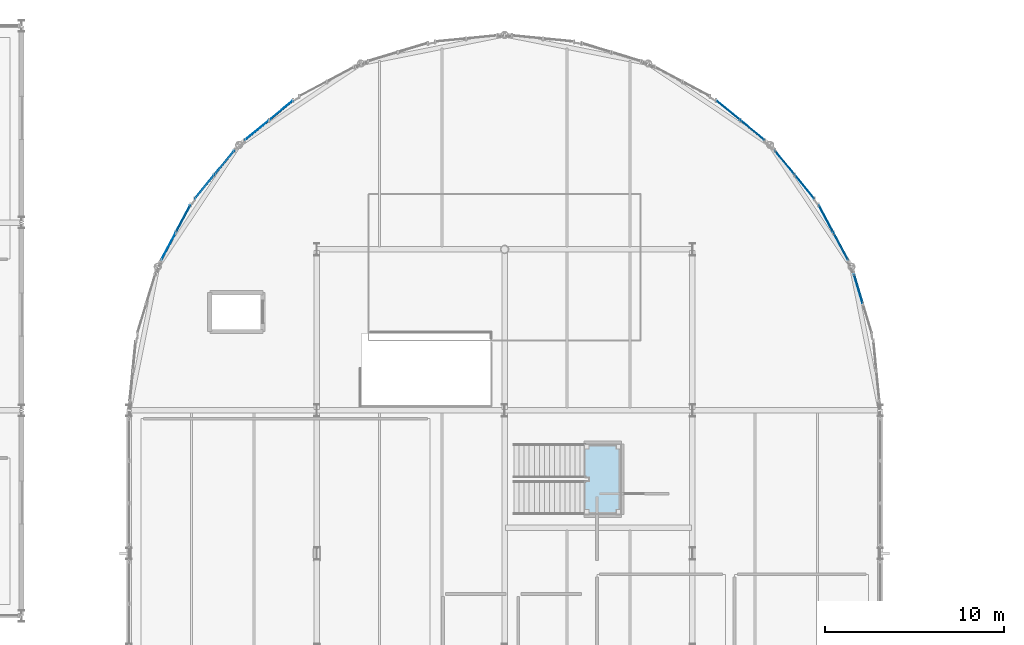
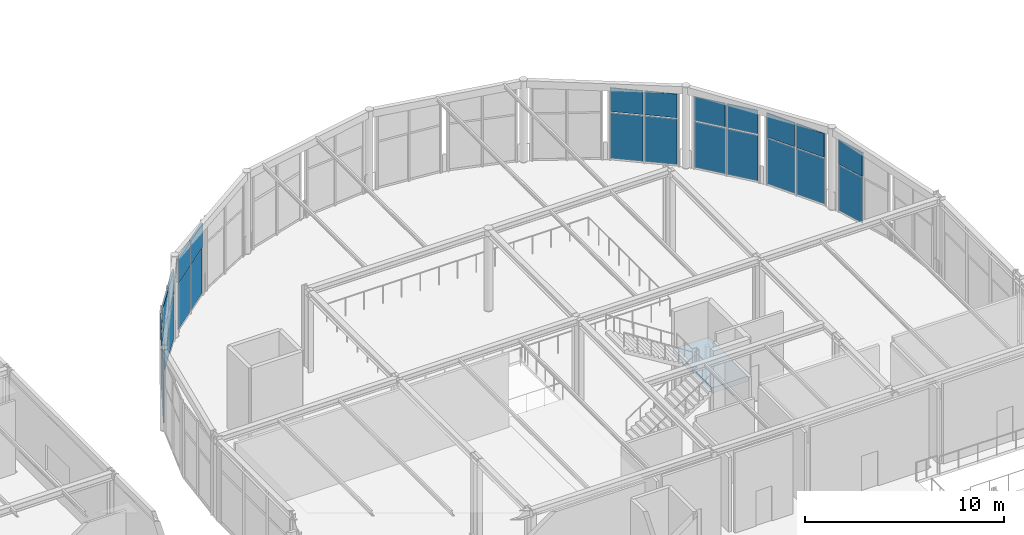
# One storey, part 100 of 195: 26 plates, 1 slab, 8 elements without a shape of their own.
"""IFC4 building model written with IfcOpenShell, lengths in metres."""

from ifc_helpers import new_model, si_unit, direction, frame, origin, origin_2d, place, context, subcontext, project, spatial, polyline, rectangle, outline, extrude, material, layer, layer_set, type_object, element, aggregate, save


model = new_model("IFC4")

# Units and contexts
model_context = context("Model", 3, precision=1e-05, world=origin(), true_north=direction((0.0, 1.0)))
body_context = subcontext(model_context, "Body", "Model", "MODEL_VIEW")
ifc_project = project(units=[si_unit("LENGTHUNIT", "METRE"), si_unit("AREAUNIT", "SQUARE_METRE"), si_unit("VOLUMEUNIT", "CUBIC_METRE"), si_unit("PLANEANGLEUNIT", "RADIAN"), si_unit("MASSUNIT", "GRAM", prefix="KILO")], contexts=[model_context])

# Site, building, storey
site_placement = place(None, origin())
site = spatial("IfcSite", under=ifc_project, at=site_placement, CompositionType="ELEMENT")
building_placement = place(site_placement, origin())
building = spatial("IfcBuilding", under=site, at=building_placement, Name="Marlcrest Central Station", CompositionType="ELEMENT")
storey_placement = place(building_placement, frame((0.0, 0.0, 9.800048828125)))
storey = spatial("IfcBuildingStorey", under=building, at=storey_placement, Name="L02", CompositionType="ELEMENT", Elevation=9.800048828125)

# Curtain wall, plates
ifc_material_1 = material(Name="Anodised aluminium and hurricane laminated glass", Category="aluminium")
ifc_layer_1 = layer(ifc_material_1, 0.219970703125, Name="CW-U1")
ifc_layer_set_1 = layer_set([ifc_layer_1], Name="Anodised aluminium and hurricane laminated glass")
curtain_wall_type = type_object("IfcCurtainWallType", Name="CW-U1", PredefinedType="USERDEFINED", material=ifc_layer_set_1)
curtain_wall_1_placement = place(storey_placement, origin())
curtain_wall_1 = element("IfcCurtainWall", 1, at=curtain_wall_1_placement, inside=storey, type_object=curtain_wall_type, Name="cw-L02-0069", ObjectType="UNITISED_CURTAIN_WALL", PredefinedType="USERDEFINED")
ifc_material_2 = material(Name="Hurricane laminated solar-control glass", Category="glass")
ifc_layer_2 = layer(ifc_material_2, 0.031982421875, Name="CP-01")
ifc_layer_set_2 = layer_set([ifc_layer_2], Name="Hurricane laminated solar-control glass")
plate_type_1 = type_object("IfcPlateType", Name="CP-01", PredefinedType="CURTAIN_PANEL", material=ifc_layer_set_2)
plate_1_placement = place(storey_placement, frame((89.20263671875, 119.66552734375, 0.080078125), z_axis=(0.0, 0.0, 1.0), x_axis=(0.471242805349, 0.882003525167, 0.0)))
plate_1 = element("IfcPlate", 2, at=plate_1_placement, type_object=plate_type_1, Name="cw-L02-0069-cp-lo-0", PredefinedType="CURTAIN_PANEL", context=body_context, shape_type="SweptSolid", body=[
    extrude(rectangle(XDim=1.677490234375, YDim=0.031982421875, at=origin_2d()), origin(), (0.0, 0.0, 1.0), 2.804931640625),
])
plate_2_placement = place(storey_placement, frame((90.02880859375, 121.212158203125, 0.080078125), z_axis=(0.0, 0.0, 1.0), x_axis=(0.471242805349, 0.882003525167, 0.0)))
plate_2 = element("IfcPlate", 3, at=plate_2_placement, type_object=plate_type_1, Name="cw-L02-0069-cp-lo-1", PredefinedType="CURTAIN_PANEL", context=body_context, shape_type="SweptSolid", body=[
    extrude(rectangle(XDim=1.677490234375, YDim=0.031982421875, at=origin_2d()), origin(), (0.0, 0.0, 1.0), 2.804931640625),
])

curtain_wall_2_placement = place(storey_placement, origin())
curtain_wall_2 = element("IfcCurtainWall", 4, at=curtain_wall_2_placement, inside=storey, type_object=curtain_wall_type, Name="cw-L02-0070", ObjectType="UNITISED_CURTAIN_WALL", PredefinedType="USERDEFINED")
plate_3_placement = place(storey_placement, frame((91.225830078125, 123.00390625, 0.080078125), z_axis=(0.0, 0.0, 1.0), x_axis=(0.63447423015, 0.772944015615, 0.0)))
plate_3 = element("IfcPlate", 5, at=plate_3_placement, type_object=plate_type_1, Name="cw-L02-0070-cp-lo-0", PredefinedType="CURTAIN_PANEL", context=body_context, shape_type="SweptSolid", body=[
    extrude(rectangle(XDim=1.677490234375, YDim=0.031982421875, at=origin_2d()), origin(), (0.0, 0.0, 1.0), 2.804931640625),
])
plate_4_placement = place(storey_placement, frame((92.33837890625, 124.359130859375, 0.080078125), z_axis=(0.0, 0.0, 1.0), x_axis=(0.63447423015, 0.772944015615, 0.0)))
plate_4 = element("IfcPlate", 6, at=plate_4_placement, type_object=plate_type_1, Name="cw-L02-0070-cp-lo-1", PredefinedType="CURTAIN_PANEL", context=body_context, shape_type="SweptSolid", body=[
    extrude(rectangle(XDim=1.677490234375, YDim=0.031982421875, at=origin_2d()), origin(), (0.0, 0.0, 1.0), 2.804931640625),
])

curtain_wall_3_placement = place(storey_placement, origin())
curtain_wall_3 = element("IfcCurtainWall", 7, at=curtain_wall_3_placement, inside=storey, type_object=curtain_wall_type, Name="cw-L02-0071", ObjectType="UNITISED_CURTAIN_WALL", PredefinedType="USERDEFINED")
plate_5_placement = place(storey_placement, frame((94.140869140625, 126.16162109375, 0.080078125), z_axis=(0.0, 0.0, 1.0), x_axis=(0.772944015615, 0.63447423015, 0.0)))
plate_5 = element("IfcPlate", 8, at=plate_5_placement, type_object=plate_type_1, Name="cw-L02-0071-cp-lo-0", PredefinedType="CURTAIN_PANEL", context=body_context, shape_type="SweptSolid", body=[
    extrude(rectangle(XDim=1.677490234375, YDim=0.031982421875, at=origin_2d()), origin(), (0.0, 0.0, 1.0), 2.804931640625),
])
plate_6_placement = place(storey_placement, frame((95.49609375, 127.274169921875, 0.080078125), z_axis=(0.0, 0.0, 1.0), x_axis=(0.772944015615, 0.63447423015, 0.0)))
plate_6 = element("IfcPlate", 9, at=plate_6_placement, type_object=plate_type_1, Name="cw-L02-0071-cp-lo-1", PredefinedType="CURTAIN_PANEL", context=body_context, shape_type="SweptSolid", body=[
    extrude(rectangle(XDim=1.677490234375, YDim=0.031982421875, at=origin_2d()), origin(), (0.0, 0.0, 1.0), 2.804931640625),
])

curtain_wall_4_placement = place(storey_placement, origin())
curtain_wall_4 = element("IfcCurtainWall", 10, at=curtain_wall_4_placement, inside=storey, type_object=curtain_wall_type, Name="cw-L02-0078", ObjectType="UNITISED_CURTAIN_WALL", PredefinedType="USERDEFINED")
plate_7_placement = place(storey_placement, frame((120.50390625, 127.274169921875, 0.080078125), z_axis=(0.0, 0.0, 1.0), x_axis=(0.772944015615, -0.63447423015, 0.0)))
plate_7 = element("IfcPlate", 11, at=plate_7_placement, type_object=plate_type_1, Name="cw-L02-0078-cp-lo-0", PredefinedType="CURTAIN_PANEL", context=body_context, shape_type="SweptSolid", body=[
    extrude(rectangle(XDim=1.677490234375, YDim=0.031982421875, at=origin_2d()), origin(), (0.0, 0.0, 1.0), 2.804931640625),
])
plate_8_placement = place(storey_placement, frame((121.859130859375, 126.16162109375, 0.080078125), z_axis=(0.0, 0.0, 1.0), x_axis=(0.772944015615, -0.63447423015, 0.0)))
plate_8 = element("IfcPlate", 12, at=plate_8_placement, type_object=plate_type_1, Name="cw-L02-0078-cp-lo-1", PredefinedType="CURTAIN_PANEL", context=body_context, shape_type="SweptSolid", body=[
    extrude(rectangle(XDim=1.677490234375, YDim=0.031982421875, at=origin_2d()), origin(), (0.0, 0.0, 1.0), 2.804931640625),
])

curtain_wall_5_placement = place(storey_placement, origin())
curtain_wall_5 = element("IfcCurtainWall", 13, at=curtain_wall_5_placement, inside=storey, type_object=curtain_wall_type, Name="cw-L02-0079", ObjectType="UNITISED_CURTAIN_WALL", PredefinedType="USERDEFINED")
plate_9_placement = place(storey_placement, frame((123.66162109375, 124.359130859375, 0.080078125), z_axis=(0.0, 0.0, 1.0), x_axis=(0.63447423015, -0.772944015615, 0.0)))
plate_9 = element("IfcPlate", 14, at=plate_9_placement, type_object=plate_type_1, Name="cw-L02-0079-cp-lo-0", PredefinedType="CURTAIN_PANEL", context=body_context, shape_type="SweptSolid", body=[
    extrude(rectangle(XDim=1.677490234375, YDim=0.031982421875, at=origin_2d()), origin(), (0.0, 0.0, 1.0), 2.804931640625),
])
plate_10_placement = place(storey_placement, frame((124.774169921875, 123.00390625, 0.080078125), z_axis=(0.0, 0.0, 1.0), x_axis=(0.63447423015, -0.772944015615, 0.0)))
plate_10 = element("IfcPlate", 15, at=plate_10_placement, type_object=plate_type_1, Name="cw-L02-0079-cp-lo-1", PredefinedType="CURTAIN_PANEL", context=body_context, shape_type="SweptSolid", body=[
    extrude(rectangle(XDim=1.677490234375, YDim=0.031982421875, at=origin_2d()), origin(), (0.0, 0.0, 1.0), 2.804931640625),
])

curtain_wall_6_placement = place(storey_placement, origin())
curtain_wall_6 = element("IfcCurtainWall", 16, at=curtain_wall_6_placement, inside=storey, type_object=curtain_wall_type, Name="cw-L02-0080", ObjectType="UNITISED_CURTAIN_WALL", PredefinedType="USERDEFINED")
plate_11_placement = place(storey_placement, frame((125.97119140625, 121.212158203125, 0.080078125), z_axis=(0.0, 0.0, 1.0), x_axis=(0.471242805349, -0.882003525167, 0.0)))
plate_11 = element("IfcPlate", 17, at=plate_11_placement, type_object=plate_type_1, Name="cw-L02-0080-cp-lo-0", PredefinedType="CURTAIN_PANEL", context=body_context, shape_type="SweptSolid", body=[
    extrude(rectangle(XDim=1.677490234375, YDim=0.031982421875, at=origin_2d()), origin(), (0.0, 0.0, 1.0), 2.804931640625),
])
plate_12_placement = place(storey_placement, frame((126.79736328125, 119.66552734375, 0.080078125), z_axis=(0.0, 0.0, 1.0), x_axis=(0.471242805349, -0.882003525167, 0.0)))
plate_12 = element("IfcPlate", 18, at=plate_12_placement, type_object=plate_type_1, Name="cw-L02-0080-cp-lo-1", PredefinedType="CURTAIN_PANEL", context=body_context, shape_type="SweptSolid", body=[
    extrude(rectangle(XDim=1.677490234375, YDim=0.031982421875, at=origin_2d()), origin(), (0.0, 0.0, 1.0), 2.804931640625),
])

# Curtain wall, plate
curtain_wall_7_placement = place(storey_placement, origin())
curtain_wall_7 = element("IfcCurtainWall", 19, at=curtain_wall_7_placement, inside=storey, type_object=curtain_wall_type, Name="cw-L02-0081", ObjectType="UNITISED_CURTAIN_WALL", PredefinedType="USERDEFINED")
plate_13_placement = place(storey_placement, frame((127.772705078125, 117.310546875, 0.080078125), z_axis=(0.0, 0.0, 1.0), x_axis=(0.290318080597, -0.956930202302, 0.0)))
plate_13 = element("IfcPlate", 20, at=plate_13_placement, type_object=plate_type_1, Name="cw-L02-0081-cp-lo-0", PredefinedType="CURTAIN_PANEL", context=body_context, shape_type="SweptSolid", body=[
    extrude(rectangle(XDim=1.67724609375, YDim=0.031982421875, at=origin_2d()), origin(), (0.0, 0.0, 1.0), 2.804931640625),
])

# Plate
ifc_material_3 = material(Name="Insulated bronze-anodised aluminium spandrel panel", Category="aluminium")
ifc_layer_3 = layer(ifc_material_3, 0.06005859375, Name="CP-04")
ifc_layer_set_3 = layer_set([ifc_layer_3], Name="Insulated bronze-anodised aluminium spandrel panel")
plate_type_2 = type_object("IfcPlateType", Name="CP-04", PredefinedType="CURTAIN_PANEL", material=ifc_layer_set_3)
plate_14_placement = place(storey_placement, frame((120.50390625, 127.274169921875, 2.96484375), z_axis=(0.0, 0.0, 1.0), x_axis=(0.772944015615, -0.63447423015, 0.0)))
plate_14 = element("IfcPlate", 21, at=plate_14_placement, type_object=plate_type_2, Name="cw-L02-0078-cp-hi-0", PredefinedType="CURTAIN_PANEL", context=body_context, shape_type="SweptSolid", body=[
    extrude(rectangle(XDim=1.677490234375, YDim=0.06005859375, at=origin_2d()), origin(), (0.0, 0.0, 1.0), 1.455078125),
])

plate_15_placement = place(storey_placement, frame((121.859130859375, 126.16162109375, 2.96484375), z_axis=(0.0, 0.0, 1.0), x_axis=(0.772944015615, -0.63447423015, 0.0)))
plate_15 = element("IfcPlate", 22, at=plate_15_placement, type_object=plate_type_2, Name="cw-L02-0078-cp-hi-1", PredefinedType="CURTAIN_PANEL", context=body_context, shape_type="SweptSolid", body=[
    extrude(rectangle(XDim=1.677490234375, YDim=0.06005859375, at=origin_2d()), origin(), (0.0, 0.0, 1.0), 1.455078125),
])

aggregate(curtain_wall_4, [plate_7, plate_14, plate_8, plate_15])

ifc_layer_4 = layer(ifc_material_3, 0.050048828125, Name="CP-05")
ifc_layer_set_4 = layer_set([ifc_layer_4], Name="Insulated bronze-anodised aluminium spandrel panel")
plate_type_3 = type_object("IfcPlateType", Name="CP-05", PredefinedType="CURTAIN_PANEL", material=ifc_layer_set_4)
plate_16_placement = place(storey_placement, frame((123.66162109375, 124.359130859375, 2.96484375), z_axis=(0.0, 0.0, 1.0), x_axis=(0.63447423015, -0.772944015615, 0.0)))
plate_16 = element("IfcPlate", 23, at=plate_16_placement, type_object=plate_type_3, Name="cw-L02-0079-cp-hi-0", PredefinedType="CURTAIN_PANEL", context=body_context, shape_type="SweptSolid", body=[
    extrude(rectangle(XDim=1.677490234375, YDim=0.050048828125, at=origin_2d()), origin(), (0.0, 0.0, 1.0), 1.455078125),
])

plate_17_placement = place(storey_placement, frame((124.774169921875, 123.00390625, 2.96484375), z_axis=(0.0, 0.0, 1.0), x_axis=(0.63447423015, -0.772944015615, 0.0)))
plate_17 = element("IfcPlate", 24, at=plate_17_placement, type_object=plate_type_3, Name="cw-L02-0079-cp-hi-1", PredefinedType="CURTAIN_PANEL", context=body_context, shape_type="SweptSolid", body=[
    extrude(rectangle(XDim=1.677490234375, YDim=0.050048828125, at=origin_2d()), origin(), (0.0, 0.0, 1.0), 1.455078125),
])

aggregate(curtain_wall_5, [plate_9, plate_16, plate_10, plate_17])

ifc_material_4 = material(Name="Insulated acoustic spandrel panel")
ifc_layer_5 = layer(ifc_material_4, 0.074951171875, Name="CP-06")
ifc_layer_set_5 = layer_set([ifc_layer_5], Name="Insulated acoustic spandrel panel")
plate_type_4 = type_object("IfcPlateType", Name="CP-06", PredefinedType="CURTAIN_PANEL", material=ifc_layer_set_5)
plate_18_placement = place(storey_placement, frame((125.97119140625, 121.212158203125, 2.96484375), z_axis=(0.0, 0.0, 1.0), x_axis=(0.471242805349, -0.882003525167, 0.0)))
plate_18 = element("IfcPlate", 25, at=plate_18_placement, type_object=plate_type_4, Name="cw-L02-0080-cp-hi-0", PredefinedType="CURTAIN_PANEL", context=body_context, shape_type="SweptSolid", body=[
    extrude(rectangle(XDim=1.677490234375, YDim=0.074951171875, at=origin_2d()), origin(), (0.0, 0.0, 1.0), 1.455078125),
])

plate_19_placement = place(storey_placement, frame((126.79736328125, 119.66552734375, 2.96484375), z_axis=(0.0, 0.0, 1.0), x_axis=(0.471242805349, -0.882003525167, 0.0)))
plate_19 = element("IfcPlate", 26, at=plate_19_placement, type_object=plate_type_4, Name="cw-L02-0080-cp-hi-1", PredefinedType="CURTAIN_PANEL", context=body_context, shape_type="SweptSolid", body=[
    extrude(rectangle(XDim=1.677490234375, YDim=0.074951171875, at=origin_2d()), origin(), (0.0, 0.0, 1.0), 1.455078125),
])

aggregate(curtain_wall_6, [plate_11, plate_18, plate_12, plate_19])

ifc_material_5 = material(Name="Insulated hurricane-rated spandrel panel")
ifc_layer_6 = layer(ifc_material_5, 0.090087890625, Name="CP-07")
ifc_layer_set_6 = layer_set([ifc_layer_6], Name="Insulated hurricane-rated spandrel panel")
plate_type_5 = type_object("IfcPlateType", Name="CP-07", PredefinedType="CURTAIN_PANEL", material=ifc_layer_set_6)
plate_20_placement = place(storey_placement, frame((89.20263671875, 119.66552734375, 2.96484375), z_axis=(0.0, 0.0, 1.0), x_axis=(0.471242805349, 0.882003525167, 0.0)))
plate_20 = element("IfcPlate", 27, at=plate_20_placement, type_object=plate_type_5, Name="cw-L02-0069-cp-hi-0", PredefinedType="CURTAIN_PANEL", context=body_context, shape_type="SweptSolid", body=[
    extrude(rectangle(XDim=1.677490234375, YDim=0.090087890625, at=origin_2d()), origin(), (0.0, 0.0, 1.0), 1.455078125),
])

plate_21_placement = place(storey_placement, frame((90.02880859375, 121.212158203125, 2.96484375), z_axis=(0.0, 0.0, 1.0), x_axis=(0.471242805349, 0.882003525167, 0.0)))
plate_21 = element("IfcPlate", 28, at=plate_21_placement, type_object=plate_type_5, Name="cw-L02-0069-cp-hi-1", PredefinedType="CURTAIN_PANEL", context=body_context, shape_type="SweptSolid", body=[
    extrude(rectangle(XDim=1.677490234375, YDim=0.090087890625, at=origin_2d()), origin(), (0.0, 0.0, 1.0), 1.455078125),
])

aggregate(curtain_wall_1, [plate_1, plate_20, plate_2, plate_21])

plate_22_placement = place(storey_placement, frame((127.772705078125, 117.310546875, 2.96484375), z_axis=(0.0, 0.0, 1.0), x_axis=(0.290318080597, -0.956930202302, 0.0)))
plate_22 = element("IfcPlate", 29, at=plate_22_placement, type_object=plate_type_5, Name="cw-L02-0081-cp-hi-0", PredefinedType="CURTAIN_PANEL", context=body_context, shape_type="SweptSolid", body=[
    extrude(rectangle(XDim=1.67724609375, YDim=0.090087890625, at=origin_2d()), origin(), (0.0, 0.0, 1.0), 1.455078125),
])

aggregate(curtain_wall_7, [plate_13, plate_22])

ifc_material_6 = material(Name="Insulated shadow-box spandrel panel")
ifc_layer_7 = layer(ifc_material_6, 0.10498046875, Name="CP-08")
ifc_layer_set_7 = layer_set([ifc_layer_7], Name="Insulated shadow-box spandrel panel")
plate_type_6 = type_object("IfcPlateType", Name="CP-08", PredefinedType="CURTAIN_PANEL", material=ifc_layer_set_7)
plate_23_placement = place(storey_placement, frame((91.225830078125, 123.00390625, 2.96484375), z_axis=(0.0, 0.0, 1.0), x_axis=(0.63447423015, 0.772944015615, 0.0)))
plate_23 = element("IfcPlate", 30, at=plate_23_placement, type_object=plate_type_6, Name="cw-L02-0070-cp-hi-0", PredefinedType="CURTAIN_PANEL", context=body_context, shape_type="SweptSolid", body=[
    extrude(rectangle(XDim=1.677490234375, YDim=0.10498046875, at=origin_2d()), origin(), (0.0, 0.0, 1.0), 1.455078125),
])

plate_24_placement = place(storey_placement, frame((92.33837890625, 124.359130859375, 2.96484375), z_axis=(0.0, 0.0, 1.0), x_axis=(0.63447423015, 0.772944015615, 0.0)))
plate_24 = element("IfcPlate", 31, at=plate_24_placement, type_object=plate_type_6, Name="cw-L02-0070-cp-hi-1", PredefinedType="CURTAIN_PANEL", context=body_context, shape_type="SweptSolid", body=[
    extrude(rectangle(XDim=1.677490234375, YDim=0.10498046875, at=origin_2d()), origin(), (0.0, 0.0, 1.0), 1.455078125),
])

aggregate(curtain_wall_2, [plate_3, plate_23, plate_4, plate_24])

ifc_material_7 = material(Name="Insulated fire-safing spandrel panel")
ifc_layer_8 = layer(ifc_material_7, 0.1201171875, Name="CP-09")
ifc_layer_set_8 = layer_set([ifc_layer_8], Name="Insulated fire-safing spandrel panel")
plate_type_7 = type_object("IfcPlateType", Name="CP-09", PredefinedType="CURTAIN_PANEL", material=ifc_layer_set_8)
plate_25_placement = place(storey_placement, frame((94.140869140625, 126.16162109375, 2.96484375), z_axis=(0.0, 0.0, 1.0), x_axis=(0.772944015615, 0.63447423015, 0.0)))
plate_25 = element("IfcPlate", 32, at=plate_25_placement, type_object=plate_type_7, Name="cw-L02-0071-cp-hi-0", PredefinedType="CURTAIN_PANEL", context=body_context, shape_type="SweptSolid", body=[
    extrude(rectangle(XDim=1.677490234375, YDim=0.1201171875, at=origin_2d()), origin(), (0.0, 0.0, 1.0), 1.455078125),
])

plate_26_placement = place(storey_placement, frame((95.49609375, 127.274169921875, 2.96484375), z_axis=(0.0, 0.0, 1.0), x_axis=(0.772944015615, 0.63447423015, 0.0)))
plate_26 = element("IfcPlate", 33, at=plate_26_placement, type_object=plate_type_7, Name="cw-L02-0071-cp-hi-1", PredefinedType="CURTAIN_PANEL", context=body_context, shape_type="SweptSolid", body=[
    extrude(rectangle(XDim=1.677490234375, YDim=0.1201171875, at=origin_2d()), origin(), (0.0, 0.0, 1.0), 1.455078125),
])

aggregate(curtain_wall_3, [plate_5, plate_25, plate_6, plate_26])

# Stair, slab
ifc_material_8 = material(Name="Concrete C35/45", Category="concrete")
stair_type = type_object("IfcStairType", Name="ST-HTM", PredefinedType="HALF_TURN_STAIR", material=ifc_material_8)
stair_placement = place(storey_placement, origin())
stair = element("IfcStair", 34, at=stair_placement, inside=storey, type_object=stair_type, Name="ST-C22", PredefinedType="HALF_TURN_STAIR")
ifc_layer_9 = layer(ifc_material_8, 0.320068359375, Name="LS-01")
ifc_layer_set_9 = layer_set([ifc_layer_9], Name="Concrete C35/45")
slab_type = type_object("IfcSlabType", Name="LS-01", PredefinedType="LANDING", material=ifc_layer_set_9)
slab_placement = place(storey_placement, frame((0.0, 0.0, 2.280029296875)))
slab = element("IfcSlab", 35, at=slab_placement, type_object=slab_type, Name="ST-C22-L1", PredefinedType="LANDING", context=body_context, shape_type="SweptSolid", body=[
    extrude(outline(polyline([(112.429931640625, 104.669921875), (114.530029296875, 104.669921875), (114.530029296875, 108.6298828125), (112.429931640625, 108.6298828125), (112.429931640625, 106.7099609375), (112.679931640625, 106.7099609375), (112.679931640625, 106.590087890625), (112.429931640625, 106.590087890625), (112.429931640625, 104.669921875)])), origin(), (0.0, 0.0, 1.0), 0.31982421875),
])
aggregate(stair, [slab])

save(model, "model.ifc")
